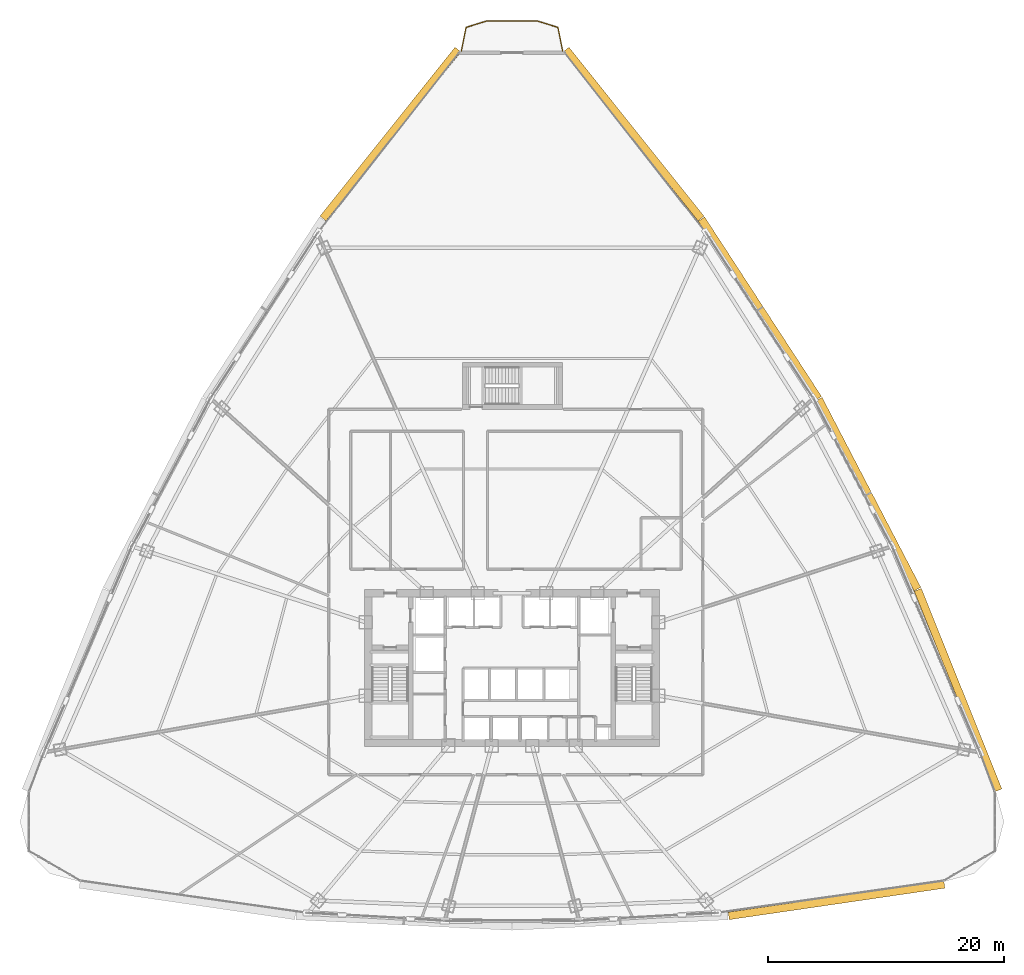
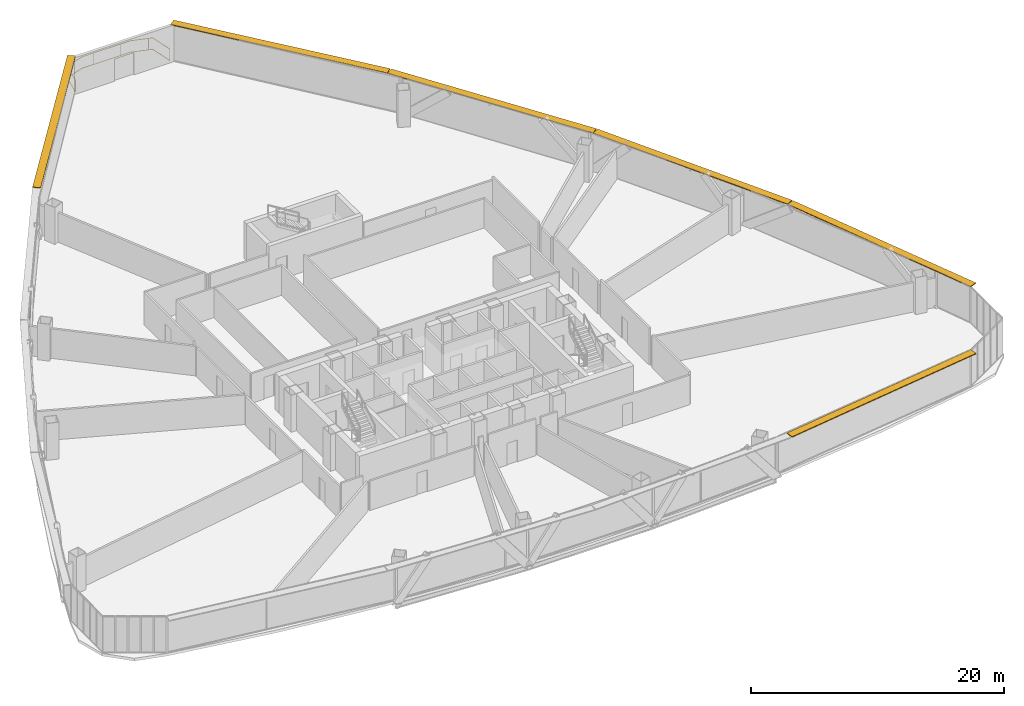
# One storey, part 41 of 41: 6 shading devices, 1 railing.
"""IFC4 building model written with IfcOpenShell, lengths in metres."""

from ifc_helpers import new_model, si_unit, direction, frame, origin, origin_2d, place, context, subcontext, project, spatial, rectangle, extrude, source, transform, mapped, material, layer, layer_set, type_object, element, save


model = new_model("IFC4")

# Units and contexts
model_context = context("Model", 3, precision=1e-05, world=origin(), true_north=direction((0.0, 1.0)))
body_context = subcontext(model_context, "Body", "Model", "MODEL_VIEW")
ifc_project = project(units=[si_unit("LENGTHUNIT", "METRE"), si_unit("AREAUNIT", "SQUARE_METRE"), si_unit("VOLUMEUNIT", "CUBIC_METRE"), si_unit("PLANEANGLEUNIT", "RADIAN"), si_unit("MASSUNIT", "GRAM", prefix="KILO"), si_unit("THERMODYNAMICTEMPERATUREUNIT", "KELVIN"), si_unit("POWERUNIT", "WATT")], contexts=[model_context])

# Site, building, storey
site_placement = place(None, origin())
site = spatial("IfcSite", under=ifc_project, at=site_placement, CompositionType="ELEMENT")
building_placement = place(site_placement, origin())
building = spatial("IfcBuilding", under=site, at=building_placement, Name="Yunzhuo Pagoda Commons", CompositionType="ELEMENT")
storey_placement = place(building_placement, frame((0.0, 0.0, 111.580078125)))
storey = spatial("IfcBuildingStorey", under=building, at=storey_placement, Name="L28", CompositionType="ELEMENT", Elevation=111.580078125)

# Railing
ifc_material = material(Name="Anodized aluminium 6063-T6", Category="aluminium")
railing_type = type_object("IfcRailingType", Name="RL-BAL1 Exterior Terrace & Balcony Balustrade 1150", PredefinedType="BALUSTRADE", material=ifc_material)
railing_placement = place(storey_placement, frame((52.3017578125, 86.203857421875, 0.0)))
element("IfcRailing", 1, at=railing_placement, inside=storey, type_object=railing_type, Name="L28 corner balcony balustrade V3", PredefinedType="BALUSTRADE", context=body_context, shape_type="SweptSolid", body=[
    extrude(rectangle(XDim=0.048095703125, YDim=0.048095703125, at=origin_2d()), frame((0.0, 0.0, 1.1259765625), z_axis=(-0.194200568098, 0.980961843983, 0.0), x_axis=(-0.980961843983, -0.194200568098, 0.0)), (0.0, 0.0, 1.0), 2.059326171875),
    extrude(rectangle(XDim=0.048095703125, YDim=0.048095703125, at=origin_2d()), frame((0.0, 0.0, 0.02392578125), z_axis=(-0.194200568098, 0.980961843983, 0.0), x_axis=(-0.980961843983, -0.194200568098, 0.0)), (0.0, 0.0, 1.0), 2.059326171875),
    extrude(rectangle(XDim=0.048095703125, YDim=0.048095703125, at=origin_2d()), frame((-0.39990234375, 2.02001953125, 1.1259765625), z_axis=(-0.95521436164, 0.295914723048, 0.0), x_axis=(-0.295914723048, -0.95521436164, 0.0)), (0.0, 0.0, 1.0), 1.791259765625),
    extrude(rectangle(XDim=0.048095703125, YDim=0.048095703125, at=origin_2d()), frame((-0.39990234375, 2.02001953125, 0.02392578125), z_axis=(-0.95521436164, 0.295914723048, 0.0), x_axis=(-0.295914723048, -0.95521436164, 0.0)), (0.0, 0.0, 1.0), 1.791259765625),
    extrude(rectangle(XDim=0.048095703125, YDim=0.048095703125, at=origin_2d()), frame((-2.11083984375, 2.550048828125, 1.1259765625), z_axis=(-1.0, 0.0, 0.0), x_axis=(0.0, -1.0, 0.0)), (0.0, 0.0, 1.0), 4.3818359375),
    extrude(rectangle(XDim=0.048095703125, YDim=0.048095703125, at=origin_2d()), frame((-2.11083984375, 2.550048828125, 0.02392578125), z_axis=(-1.0, 0.0, 0.0), x_axis=(0.0, -1.0, 0.0)), (0.0, 0.0, 1.0), 4.3818359375),
    extrude(rectangle(XDim=0.048095703125, YDim=0.048095703125, at=origin_2d()), frame((-6.49267578125, 2.550048828125, 1.1259765625), z_axis=(-0.95521436164, -0.295914723048, 0.0), x_axis=(0.295914723048, -0.95521436164, 0.0)), (0.0, 0.0, 1.0), 1.791259765625),
    extrude(rectangle(XDim=0.048095703125, YDim=0.048095703125, at=origin_2d()), frame((-6.49267578125, 2.550048828125, 0.02392578125), z_axis=(-0.95521436164, -0.295914723048, 0.0), x_axis=(0.295914723048, -0.95521436164, 0.0)), (0.0, 0.0, 1.0), 1.791259765625),
    extrude(rectangle(XDim=0.048095703125, YDim=0.048095703125, at=origin_2d()), frame((-8.20361328125, 2.02001953125, 1.1259765625), z_axis=(-0.194200568098, -0.980961843983, 0.0), x_axis=(0.980961843983, -0.194200568098, 0.0)), (0.0, 0.0, 1.0), 2.059326171875),
    extrude(rectangle(XDim=0.048095703125, YDim=0.048095703125, at=origin_2d()), frame((-8.20361328125, 2.02001953125, 0.02392578125), z_axis=(-0.194200568098, -0.980961843983, 0.0), x_axis=(0.980961843983, -0.194200568098, 0.0)), (0.0, 0.0, 1.0), 2.059326171875),
    extrude(rectangle(XDim=0.0419921875, YDim=0.0419921875, at=origin_2d()), origin(), (0.0, 0.0, 1.0), 1.101806640625),
    extrude(rectangle(XDim=0.0419921875, YDim=0.0419921875, at=origin_2d()), frame((-0.725341796875, 2.120849609375, 0.0)), (0.0, 0.0, 1.0), 1.101806640625),
    extrude(rectangle(XDim=0.0419921875, YDim=0.0419921875, at=origin_2d()), frame((-3.060546875, 2.550048828125, 0.0)), (0.0, 0.0, 1.0), 1.101806640625),
    extrude(rectangle(XDim=0.0419921875, YDim=0.0419921875, at=origin_2d()), frame((-5.46044921875, 2.550048828125, 0.0)), (0.0, 0.0, 1.0), 1.101806640625),
    extrude(rectangle(XDim=0.0419921875, YDim=0.0419921875, at=origin_2d()), frame((-7.79931640625, 2.145263671875, 0.0)), (0.0, 0.0, 1.0), 1.101806640625),
    extrude(rectangle(XDim=0.0419921875, YDim=0.0419921875, at=origin_2d()), frame((-8.603515625, 0.0, 0.0)), (0.0, 0.0, 1.0), 1.101806640625),
])

# Shading devices
ifc_layer = layer(ifc_material, 0.080078125)
ifc_layer_set = layer_set([ifc_layer], Name="Anodized aluminium 6063-T6")
shading_device_type = type_object("IfcShadingDeviceType", Name="SH-SUN1 Pagoda Horizontal Sunshade Eave 650", PredefinedType="USERDEFINED", material=ifc_layer_set)
shared_shape_1 = source(origin(), body_context, "Body", "SweptSolid", [
    extrude(rectangle(XDim=18.497314453125, YDim=0.64990234375, at=origin_2d()), origin(), (0.0, 0.0, 1.0), 0.080078125),
])
shading_device_placement = place(storey_placement, frame((75.54931640625, 14.14892578125, 3.4599609375), z_axis=(0.0, 0.0, 1.0), x_axis=(0.989510666697, 0.144459823108, 0.0)))
element("IfcShadingDevice", 2, at=shading_device_placement, inside=storey, type_object=shading_device_type, Name="L28 horizontal pagoda sunshade eave F1.4", ObjectType="SUNSHADE", PredefinedType="USERDEFINED", context=body_context, shape_type="MappedRepresentation", body=[
    mapped(shared_shape_1, transform((0.0, 0.0, 0.0), scale=1.0)),
])
shared_shape_2 = source(origin(), body_context, "Body", "SweptSolid", [
    extrude(rectangle(XDim=18.3486328125, YDim=0.64990234375, at=origin_2d()), origin(), (0.0, 0.0, 1.0), 0.080078125),
])
for number, where, z_axis, x_axis, name in (
    (3, (85.861083984375, 31.977294921875, 3.4599609375), (0.0, 0.0, 1.0), (-0.372987782576, 0.927836253899, 0.0), "L28 horizontal pagoda sunshade eave F2.1"),
    (4, (58.311279296875, 79.1728515625, 3.4599609375), (0.0, 0.0, 1.0), (-0.624520471688, 0.781008438138, 0.0), "L28 horizontal pagoda sunshade eave F2.4"),
    (5, (37.688720703125, 79.1728515625, 3.4599609375), (0.0, 0.0, 1.0), (-0.624520471688, -0.781008438138, 0.0), "L28 horizontal pagoda sunshade eave F3.1"),
):
    element("IfcShadingDevice", number, at=place(storey_placement, frame(where, z_axis=z_axis, x_axis=x_axis)), inside=storey, type_object=shading_device_type, Name=name, ObjectType="SUNSHADE", PredefinedType="USERDEFINED", context=body_context, shape_type="MappedRepresentation", body=[
        mapped(shared_shape_2, transform((0.0, 0.0, 0.0), scale=1.0)),
    ])
shared_shape_3 = source(origin(), body_context, "Body", "SweptSolid", [
    extrude(rectangle(XDim=18.1748046875, YDim=0.64990234375, at=origin_2d()), origin(), (0.0, 0.0, 1.0), 0.080078125),
])
for number, where, z_axis, x_axis, name in (
    (6, (78.2216796875, 48.610107421875, 3.4599609375), (0.0, 0.0, 1.0), (-0.461206683033, 0.88729273384, 0.0), "L28 horizontal pagoda sunshade eave F2.2"),
    (7, (69.0380859375, 64.34228515625, 3.4599609375), (0.0, 0.0, 1.0), (-0.545838756973, 0.837890238269, 0.0), "L28 horizontal pagoda sunshade eave F2.3"),
):
    element("IfcShadingDevice", number, at=place(storey_placement, frame(where, z_axis=z_axis, x_axis=x_axis)), inside=storey, type_object=shading_device_type, Name=name, ObjectType="SUNSHADE", PredefinedType="USERDEFINED", context=body_context, shape_type="MappedRepresentation", body=[
        mapped(shared_shape_3, transform((0.0, 0.0, 0.0), scale=1.0)),
    ])

save(model, "model.ifc")
